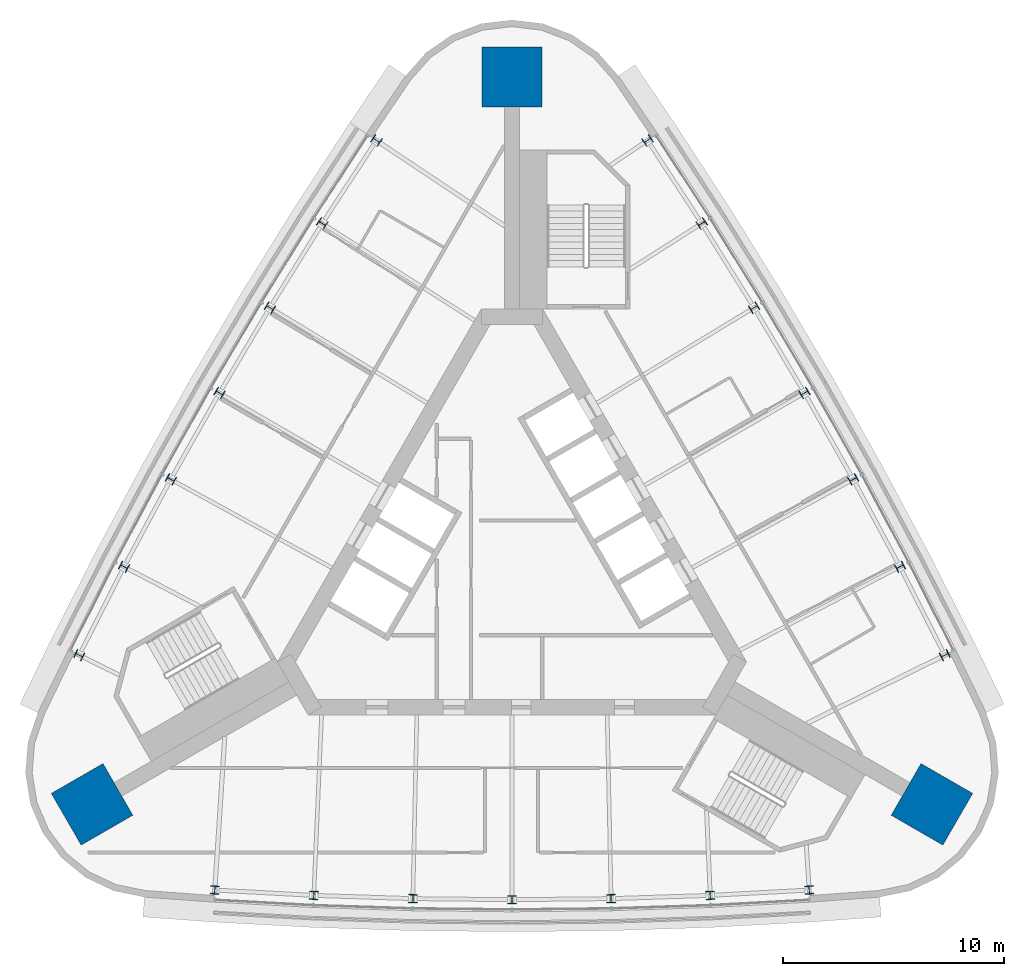
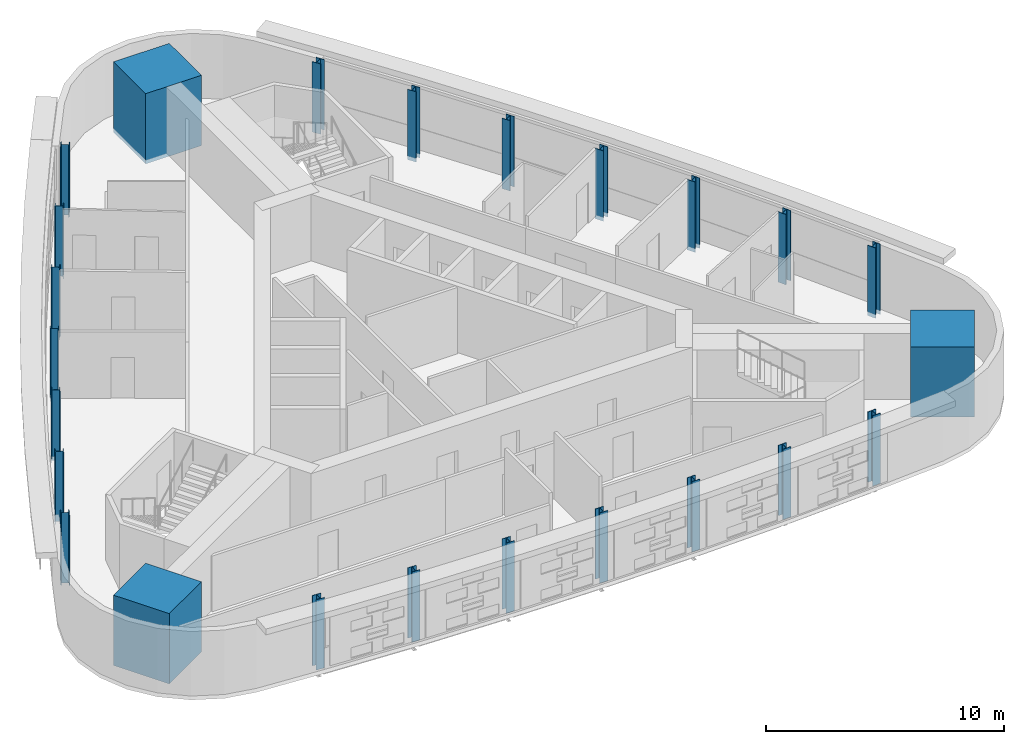
# One storey, part 1 of 10: 24 columns.
"""IFC4 building model written with IfcOpenShell, lengths in metres."""

from ifc_helpers import new_model, si_unit, direction, frame, origin, origin_2d, place, context, subcontext, project, spatial, rectangle, i_section, extrude, material, material_profile, profile_set, type_object, element, save


model = new_model("IFC4")

# Units and contexts
model_context = context("Model", 3, precision=1e-05, world=origin(), true_north=direction((0.0, 1.0)))
body_context = subcontext(model_context, "Body", "Model", "MODEL_VIEW")
ifc_project = project(units=[si_unit("LENGTHUNIT", "METRE"), si_unit("AREAUNIT", "SQUARE_METRE"), si_unit("VOLUMEUNIT", "CUBIC_METRE"), si_unit("PLANEANGLEUNIT", "RADIAN"), si_unit("MASSUNIT", "GRAM", prefix="KILO")], contexts=[model_context])

# Site, building, storey
site_placement = place(None, origin())
site = spatial("IfcSite", under=ifc_project, at=site_placement, CompositionType="ELEMENT")
building_placement = place(site_placement, origin())
building = spatial("IfcBuilding", under=site, at=building_placement, Name="Noor Cloister Tower", CompositionType="ELEMENT")
storey_placement = place(building_placement, frame((0.0, 0.0, 195.89990234375)))
storey = spatial("IfcBuildingStorey", under=building, at=storey_placement, Name="L50", CompositionType="ELEMENT", Elevation=195.89990234375)

# Columns
ifc_material_1 = material(Name="Steel ASTM A992 Gr 50", Category="steel")
ifc_material_profile_1 = material_profile(ifc_material_1, i_section(OverallWidth=0.39404296875, OverallDepth=0.3759765625, WebThickness=0.017333984375, FlangeThickness=0.027587890625, FilletRadius=0.01513671875, at=origin_2d()), Name="W360x216")
ifc_profile_set_1 = profile_set([ifc_material_profile_1], Name="Steel ASTM A992 Gr 50")
column_type_1 = type_object("IfcColumnType", Name="Column W360x216", PredefinedType="COLUMN", material=ifc_profile_set_1)
for number, where, z_axis, x_axis, name in (
    (1, (-6.1376953125, 19.079833984375, -0.199951171875), (0.0, 0.0, 1.0), (-0.555130311688, -0.83176339006, 0.0), "Column NW 01 L50"),
    (2, (-8.588623046875, 15.320068359375, -0.199951171875), (0.0, 0.0, 1.0), (-0.537002141475, -0.843580879377, 0.0), "Column NW 02 L50"),
    (3, (-10.95751953125, 11.50830078125, -0.199951171875), (0.0, 0.0, 1.0), (-0.518622501946, -0.855003333605, 0.0), "Column NW 03 L50"),
    (4, (-13.243408203125, 7.64599609375, -0.199951171875), (0.0, 0.0, 1.0), (-0.5, -0.866025403784, 0.0), "Column NW 04 L50"),
    (5, (-15.4453125, 3.7353515625, -0.199951171875), (0.0, 0.0, 1.0), (-0.481143356249, -0.876641928462, 0.0), "Column NW 05 L50"),
    (6, (-17.56201171875, -0.22216796875, -0.199951171875), (0.0, 0.0, 1.0), (-0.46206140095, -0.886847936093, 0.0), "Column NW 06 L50"),
    (7, (-19.592529296875, -4.224609375, -0.199951171875), (0.0, 0.0, 1.0), (-0.442763069886, -0.896638647363, 0.0), "Column NW 07 L50"),
    (8, (-13.454833984375, -14.855224609375, -0.199951171875), (0.0, 0.0, 1.0), (0.997893381574, -0.064875257303, 0.0), "Column S 01 L50"),
    (9, (-8.973388671875, -15.097900390625, -0.199951171875), (0.0, 0.0, 1.0), (0.999063542425, -0.043267056715, 0.0), "Column S 02 L50"),
    (10, (-4.48779296875, -15.24365234375, -0.199951171875), (0.0, 0.0, 1.0), (0.999765858195, -0.021638594857, 0.0), "Column S 03 L50"),
    (11, (0.0, -15.292236328125, -0.199951171875), (0.0, 0.0, 1.0), (1.0, 0.0, 0.0), "Column S 04 L50"),
    (12, (4.48779296875, -15.24365234375, -0.199951171875), (0.0, 0.0, 1.0), (0.999765858195, 0.021638594857, 0.0), "Column S 05 L50"),
    (13, (8.973388671875, -15.097900390625, -0.199951171875), (0.0, 0.0, 1.0), (0.999063542425, 0.043267056715, 0.0), "Column S 06 L50"),
    (14, (13.454833984375, -14.855224609375, -0.199951171875), (0.0, 0.0, 1.0), (0.997893381574, 0.064875257303, 0.0), "Column S 07 L50"),
    (15, (19.592529296875, -4.224609375, -0.199951171875), (0.0, 0.0, 1.0), (-0.442763069886, 0.896638647363, 0.0), "Column NE 01 L50"),
    (16, (17.56201171875, -0.22216796875, -0.199951171875), (0.0, 0.0, 1.0), (-0.46206140095, 0.886847936093, 0.0), "Column NE 02 L50"),
    (17, (15.4453125, 3.7353515625, -0.199951171875), (0.0, 0.0, 1.0), (-0.481143356249, 0.876641928462, 0.0), "Column NE 03 L50"),
    (18, (13.243408203125, 7.64599609375, -0.199951171875), (0.0, 0.0, 1.0), (-0.5, 0.866025403784, 0.0), "Column NE 04 L50"),
    (19, (10.95751953125, 11.50830078125, -0.199951171875), (0.0, 0.0, 1.0), (-0.518622501946, 0.855003333605, 0.0), "Column NE 05 L50"),
    (20, (8.588623046875, 15.320068359375, -0.199951171875), (0.0, 0.0, 1.0), (-0.537002141475, 0.843580879377, 0.0), "Column NE 06 L50"),
    (21, (6.1376953125, 19.079833984375, -0.199951171875), (0.0, 0.0, 1.0), (-0.555130311688, 0.83176339006, 0.0), "Column NE 07 L50"),
):
    element("IfcColumn", number, at=place(storey_placement, frame(where, z_axis=z_axis, x_axis=x_axis)), inside=storey, type_object=column_type_1, Name=name, PredefinedType="COLUMN", context=body_context, shape_type="SweptSolid", body=[
        extrude(i_section(OverallWidth=0.39404296875, OverallDepth=0.3759765625, WebThickness=0.017333984375, FlangeThickness=0.027587890625, FilletRadius=0.01513671875, at=origin_2d()), origin(), (0.0, 0.0, 1.0), 3.60009765625),
    ])
ifc_material_2 = material(Name="Concrete C70/85", Category="concrete")
ifc_material_profile_2 = material_profile(ifc_material_2, rectangle(XDim=2.699951171875, YDim=2.699951171875, at=origin_2d()), Name="RC 2700x2700")
ifc_profile_set_2 = profile_set([ifc_material_profile_2], Name="Concrete C70/85")
column_type_2 = type_object("IfcColumnType", Name="Corner pier 2700 x 2700 C70/85", PredefinedType="COLUMN", material=ifc_profile_set_2)
for number, where, z_axis, x_axis, name in (
    (22, (0.0, 21.950927734375, -0.199951171875), (0.0, 0.0, 1.0), (0.0, 1.0, 0.0), "Corner pier N L50"),
    (23, (-19.010009765625, -10.9755859375, -0.199951171875), (0.0, 0.0, 1.0), (-0.866025403784, -0.5, 0.0), "Corner pier SW L50"),
    (24, (19.010009765625, -10.9755859375, -0.199951171875), (0.0, 0.0, 1.0), (0.866025403784, -0.5, 0.0), "Corner pier SE L50"),
):
    element("IfcColumn", number, at=place(storey_placement, frame(where, z_axis=z_axis, x_axis=x_axis)), inside=storey, type_object=column_type_2, Name=name, PredefinedType="COLUMN", context=body_context, shape_type="SweptSolid", body=[
        extrude(rectangle(XDim=2.699951171875, YDim=2.699951171875, at=origin_2d()), origin(), (0.0, 0.0, 1.0), 3.60009765625),
    ])

save(model, "model.ifc")
